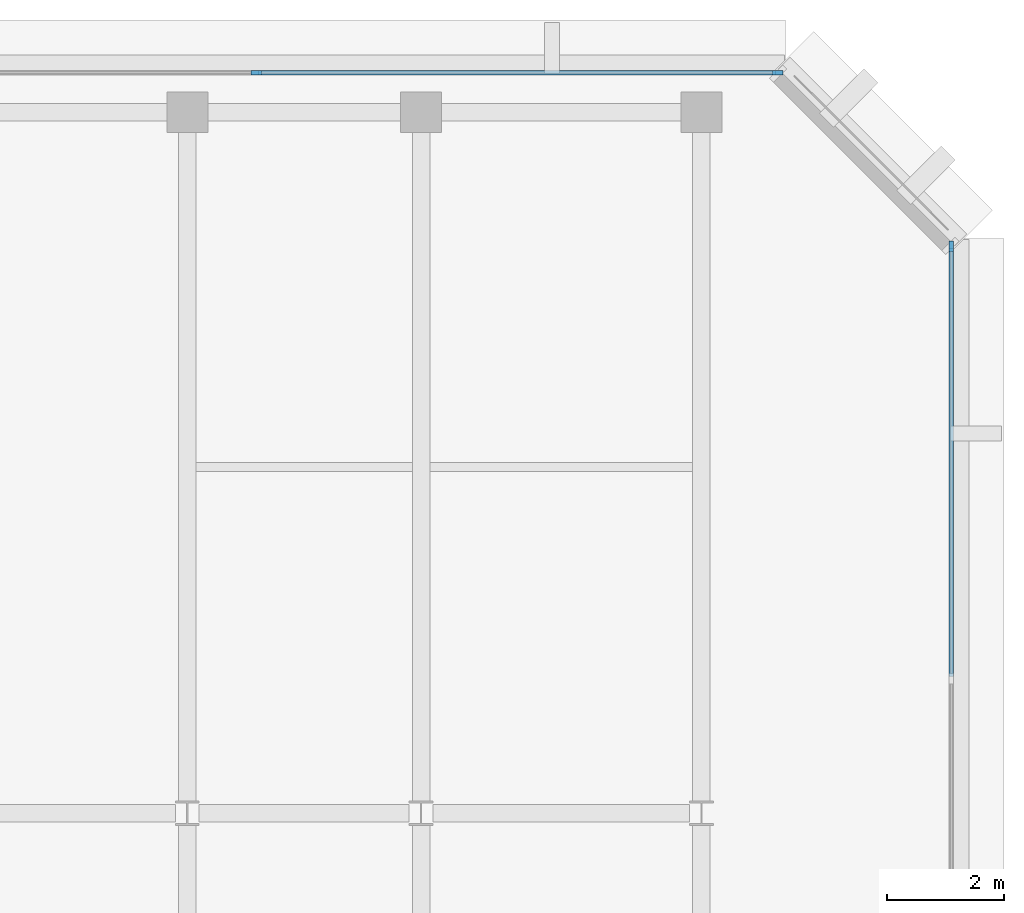
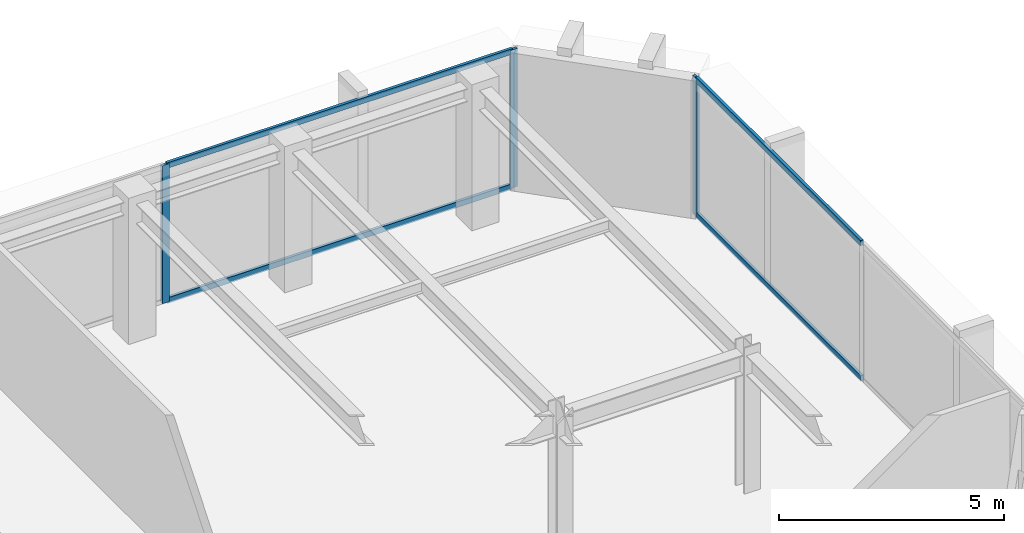
# One storey, part 5 of 11: 7 members, 2 elements without a shape of their own.
"""IFC4 building model written with IfcOpenShell, lengths in metres."""

from ifc_helpers import new_model, si_unit, direction, frame, origin, origin_2d, place, context, subcontext, project, spatial, rectangle, extrude, material, layer, layer_set, material_profile, profile_set, type_object, element, aggregate, save


model = new_model("IFC4")

# Units and contexts
model_context = context("Model", 3, precision=1e-05, world=origin(), true_north=direction((0.0, 1.0)))
body_context = subcontext(model_context, "Body", "Model", "MODEL_VIEW")
ifc_project = project(units=[si_unit("LENGTHUNIT", "METRE"), si_unit("AREAUNIT", "SQUARE_METRE"), si_unit("VOLUMEUNIT", "CUBIC_METRE"), si_unit("PLANEANGLEUNIT", "RADIAN"), si_unit("MASSUNIT", "GRAM", prefix="KILO")], contexts=[model_context])

# Site, building, storey
site_placement = place(None, origin())
site = spatial("IfcSite", under=ifc_project, at=site_placement, CompositionType="ELEMENT")
building_placement = place(site_placement, origin())
building = spatial("IfcBuilding", under=site, at=building_placement, Name="Kefirva Bronze Tower", CompositionType="ELEMENT")
storey_placement = place(building_placement, frame((0.0, 0.0, 319.77001953125)))
storey = spatial("IfcBuildingStorey", under=building, at=storey_placement, Name="L78", CompositionType="ELEMENT", Elevation=319.77001953125)

# Curtain wall, member
ifc_material = material(Name="Bronze anodised aluminium", Category="aluminium")
ifc_layer = layer(ifc_material, 0.179931640625, Name="Bronze anodised aluminium")
ifc_layer_set = layer_set([ifc_layer], Name="Bronze anodised aluminium")
curtain_wall_type = type_object("IfcCurtainWallType", Name="Unitised Bronze Ribbon Curtain Wall Zone 4", PredefinedType="USERDEFINED", material=ifc_layer_set)
curtain_wall_1_placement = place(storey_placement, origin())
curtain_wall_1 = element("IfcCurtainWall", 1, at=curtain_wall_1_placement, inside=storey, type_object=curtain_wall_type, Name="L78 Curtain Wall 3", ObjectType="UNITISED CURTAIN WALL", PredefinedType="USERDEFINED")
ifc_material_profile_1 = material_profile(ifc_material, rectangle(XDim=0.074951171875, YDim=0.179931640625, at=origin_2d()), Name="ALU 75x180")
ifc_profile_set_1 = profile_set([ifc_material_profile_1], Name="Bronze anodised aluminium")
member_type_1 = type_object("IfcMemberType", Name="Bronze Mullion 75x180", PredefinedType="MULLION", material=ifc_profile_set_1)
member_1_placement = place(storey_placement, frame((44.280029296875, 42.907470703125, 0.0), z_axis=(0.0, 0.0, 1.0), x_axis=(-1.0, 0.0, 0.0)))
member_1 = element("IfcMember", 2, at=member_1_placement, type_object=member_type_1, Name="CW-04 mullion 3", PredefinedType="MULLION", context=body_context, shape_type="SweptSolid", body=[
    extrude(rectangle(XDim=0.074951171875, YDim=0.179931640625, at=origin_2d()), origin(), (0.0, 0.0, 1.0), 3.739990234375),
])

# Curtain wall, members
curtain_wall_2_placement = place(storey_placement, origin())
curtain_wall_2 = element("IfcCurtainWall", 3, at=curtain_wall_2_placement, inside=storey, type_object=curtain_wall_type, Name="L78 Curtain Wall 4", ObjectType="UNITISED CURTAIN WALL", PredefinedType="USERDEFINED")
member_2_placement = place(storey_placement, frame((41.3076171875, 45.8798828125, 0.0), z_axis=(0.0, 0.0, 1.0), x_axis=(0.0, -1.0, 0.0)))
member_2 = element("IfcMember", 4, at=member_2_placement, type_object=member_type_1, Name="CW-04 mullion 1", PredefinedType="MULLION", context=body_context, shape_type="SweptSolid", body=[
    extrude(rectangle(XDim=0.074951171875, YDim=0.179931640625, at=origin_2d()), origin(), (0.0, 0.0, 1.0), 3.739990234375),
])
member_3_placement = place(storey_placement, frame((32.375, 45.8798828125, 0.0), z_axis=(0.0, 0.0, 1.0), x_axis=(0.0, -1.0, 0.0)))
member_3 = element("IfcMember", 5, at=member_3_placement, type_object=member_type_1, Name="CW-04 mullion 2", PredefinedType="MULLION", context=body_context, shape_type="SweptSolid", body=[
    extrude(rectangle(XDim=0.074951171875, YDim=0.179931640625, at=origin_2d()), origin(), (0.0, 0.0, 1.0), 3.739990234375),
])

# Member
ifc_material_profile_2 = material_profile(ifc_material, rectangle(XDim=0.074951171875, YDim=0.14990234375, at=origin_2d()), Name="ALU 75x150")
ifc_profile_set_2 = profile_set([ifc_material_profile_2], Name="Bronze anodised aluminium")
member_type_2 = type_object("IfcMemberType", Name="Bronze Transom 75x150", PredefinedType="USERDEFINED", material=ifc_profile_set_2)
member_4_placement = place(storey_placement, frame((44.280029296875, 35.53759765625, 0.03759765625), z_axis=(0.0, 1.0, 0.0), x_axis=(-1.0, 0.0, 0.0)))
member_4 = element("IfcMember", 6, at=member_4_placement, type_object=member_type_2, Name="CW-04 transom 2.1", ObjectType="TRANSOM", PredefinedType="USERDEFINED", context=body_context, shape_type="SweptSolid", body=[
    extrude(rectangle(XDim=0.074951171875, YDim=0.14990234375, at=origin_2d()), origin(), (0.0, 0.0, 1.0), 7.33251953125),
])

member_5_placement = place(storey_placement, frame((44.280029296875, 35.53759765625, 3.702392578125), z_axis=(0.0, 1.0, 0.0), x_axis=(-1.0, 0.0, 0.0)))
member_5 = element("IfcMember", 7, at=member_5_placement, type_object=member_type_2, Name="CW-04 transom 2.2", ObjectType="TRANSOM", PredefinedType="USERDEFINED", context=body_context, shape_type="SweptSolid", body=[
    extrude(rectangle(XDim=0.074951171875, YDim=0.14990234375, at=origin_2d()), origin(), (0.0, 0.0, 1.0), 7.33251953125),
])

aggregate(curtain_wall_1, [member_1, member_4, member_5])

member_6_placement = place(storey_placement, frame((41.27001953125, 45.8798828125, 0.03759765625), z_axis=(-1.0, 0.0, 0.0), x_axis=(0.0, -1.0, 0.0)))
member_6 = element("IfcMember", 8, at=member_6_placement, type_object=member_type_2, Name="CW-04 transom 1.1", ObjectType="TRANSOM", PredefinedType="USERDEFINED", context=body_context, shape_type="SweptSolid", body=[
    extrude(rectangle(XDim=0.074951171875, YDim=0.14990234375, at=origin_2d()), origin(), (0.0, 0.0, 1.0), 8.857421875),
])

member_7_placement = place(storey_placement, frame((41.27001953125, 45.8798828125, 3.702392578125), z_axis=(-1.0, 0.0, 0.0), x_axis=(0.0, -1.0, 0.0)))
member_7 = element("IfcMember", 9, at=member_7_placement, type_object=member_type_2, Name="CW-04 transom 1.2", ObjectType="TRANSOM", PredefinedType="USERDEFINED", context=body_context, shape_type="SweptSolid", body=[
    extrude(rectangle(XDim=0.074951171875, YDim=0.14990234375, at=origin_2d()), origin(), (0.0, 0.0, 1.0), 8.857421875),
])

aggregate(curtain_wall_2, [member_2, member_3, member_6, member_7])

save(model, "model.ifc")
